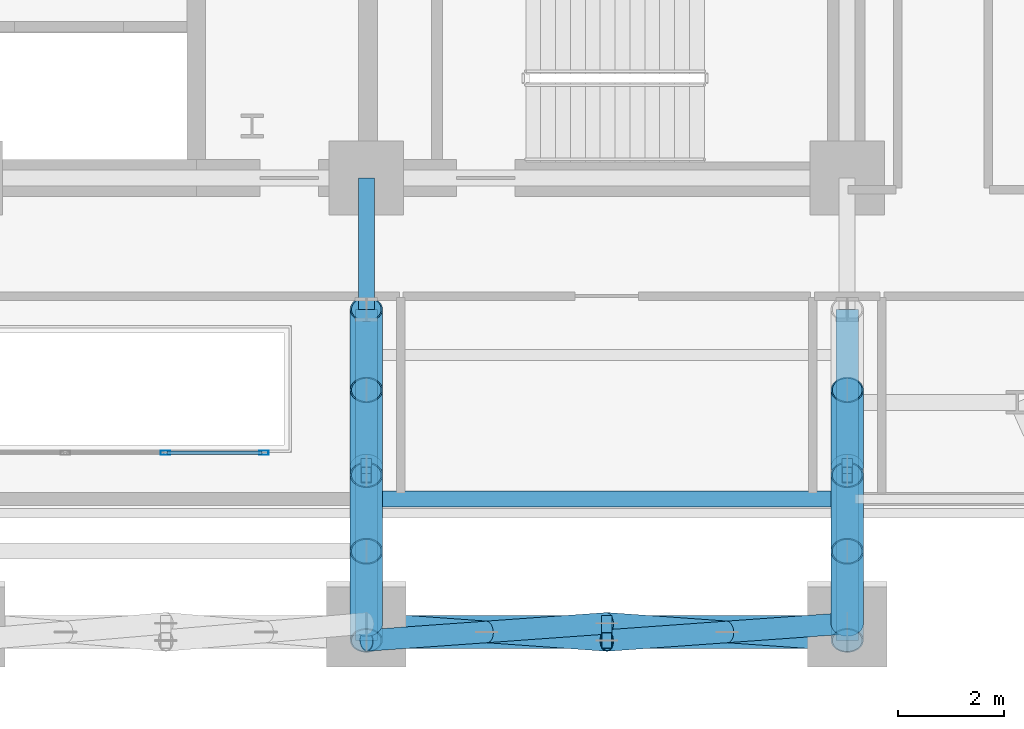
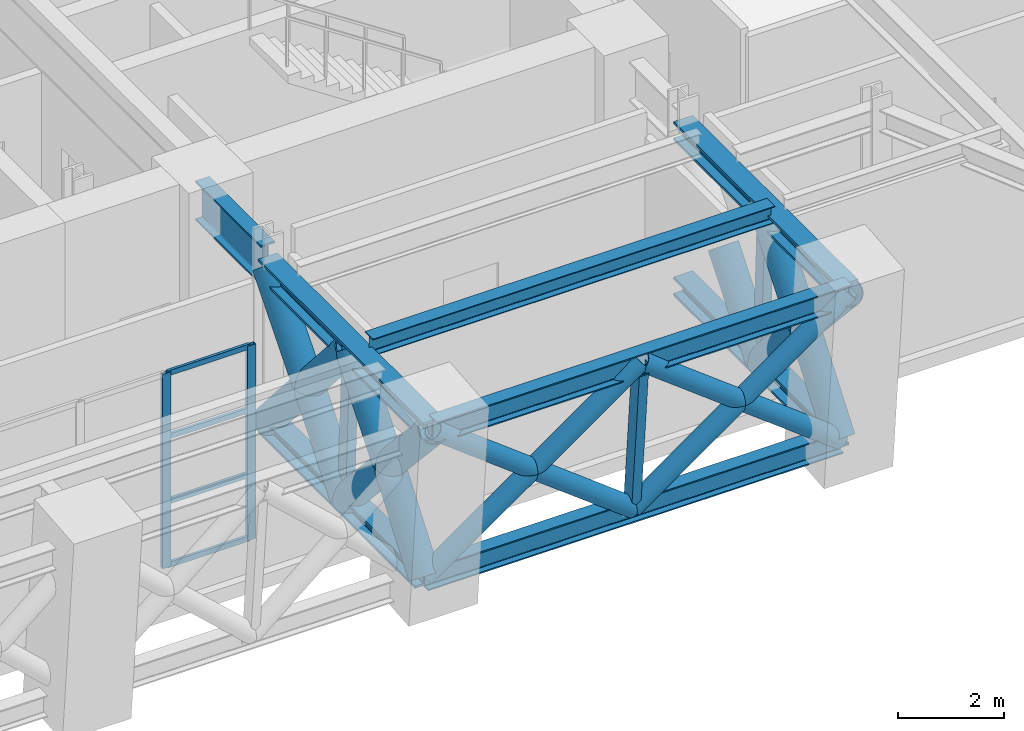
# One storey, part 5 of 12: 31 members, 2 beams, 1 element without a shape of its own.
"""IFC4 building model written with IfcOpenShell, lengths in metres."""

from ifc_helpers import new_model, si_unit, direction, frame, origin, origin_2d, place, context, subcontext, project, spatial, hollow_rectangle, hollow_circle, i_section, extrude, material, layer, layer_set, material_profile, profile_set, type_object, element, aggregate, save


model = new_model("IFC4")

# Units and contexts
model_context = context("Model", 3, precision=1e-05, world=origin(), true_north=direction((0.0, 1.0)))
body_context = subcontext(model_context, "Body", "Model", "MODEL_VIEW")
ifc_project = project(units=[si_unit("LENGTHUNIT", "METRE"), si_unit("AREAUNIT", "SQUARE_METRE"), si_unit("VOLUMEUNIT", "CUBIC_METRE"), si_unit("PLANEANGLEUNIT", "RADIAN"), si_unit("MASSUNIT", "GRAM", prefix="KILO")], contexts=[model_context])

# Site, building, storey
site_placement = place(None, origin())
site = spatial("IfcSite", under=ifc_project, at=site_placement, CompositionType="ELEMENT")
building_placement = place(site_placement, origin())
building = spatial("IfcBuilding", under=site, at=building_placement, Name="Zarnavel Station Tower", CompositionType="ELEMENT")
storey_placement = place(building_placement, frame((0.0, 0.0, 74.5)))
storey = spatial("IfcBuildingStorey", under=building, at=storey_placement, Name="L20", CompositionType="ELEMENT", Elevation=74.5)

# Members
ifc_material_1 = material(Name="Steel S460M", Category="steel")
ifc_material_profile_1 = material_profile(ifc_material_1, i_section(OverallWidth=0.300048828125, OverallDepth=0.5, WebThickness=0.014404296875, FlangeThickness=0.028076171875, FilletRadius=0.027099609375, at=origin_2d()), Name="HEB500")
ifc_profile_set_1 = profile_set([ifc_material_profile_1], Name="Steel S460M")
member_type_1 = type_object("IfcMemberType", Name="BT_CHORD_HEB500", PredefinedType="CHORD", material=ifc_profile_set_1)
for number, where, z_axis, x_axis, name in (
    (1, (36.35009765625, 19.4404296875, 0.39990234375), (1.0, 0.0, 0.0), (0.0, 1.0, 0.0), "L20 Perimeter Belt Truss Bottom Chord 4"),
    (2, (36.35009765625, 19.1162109375, 3.97998046875), (1.0, 0.0, 0.0), (0.0, 1.0, 0.0), "L20 Perimeter Belt Truss Top Chord 4"),
):
    element("IfcMember", number, at=place(storey_placement, frame(where, z_axis=z_axis, x_axis=x_axis)), inside=storey, type_object=member_type_1, Name=name, PredefinedType="CHORD", context=body_context, shape_type="SweptSolid", body=[
        extrude(i_section(OverallWidth=0.300048828125, OverallDepth=0.5, WebThickness=0.014404296875, FlangeThickness=0.028076171875, FilletRadius=0.027099609375, at=origin_2d()), origin(), (0.0, 0.0, 1.0), 9.0498046875),
    ])
ifc_material_2 = material(Name="Steel S460M", Category="steel")
ifc_material_profile_2 = material_profile(ifc_material_2, hollow_circle(Radius=0.203125, WallThickness=0.01611328125, at=origin_2d()), Name="CHS406.4x16")
ifc_profile_set_2 = profile_set([ifc_material_profile_2], Name="Steel S460M")
member_type_2 = type_object("IfcMemberType", Name="BT_DIAG_CHS406", PredefinedType="BRACE", material=ifc_profile_set_2)
member_1_placement = place(storey_placement, frame((36.35009765625, 19.4404296875, 0.39990234375), z_axis=(0.782990807201, -0.056102934713, 0.619498068242), x_axis=(0.07146887229, 0.997442830589, 0.0)))
element("IfcMember", 3, at=member_1_placement, inside=storey, type_object=member_type_2, Name="L20 Belt Truss Continuous Diagonal A1 4", PredefinedType="BRACE", context=body_context, shape_type="SweptSolid", body=[
    extrude(hollow_circle(Radius=0.203125, WallThickness=0.01611328125, at=origin_2d()), origin(), (0.0, 0.0, 1.0), 5.779052734375),
])
for number, where, z_axis, x_axis, name in (
    (4, (40.875, 19.4404296875, 0.39990234375), (-0.782990807201, -0.056102934713, 0.619498068242), (0.07146887229, -0.997442830589, 0.0), "L20 Belt Truss Split Diagonal B1 Lower 4"),
    (5, (38.612548828125, 19.2783203125, 2.18994140625), (-0.782990807201, -0.056102934713, 0.619498068242), (0.07146887229, -0.997442830589, 0.0), "L20 Belt Truss Split Diagonal B1 Upper 4"),
):
    element("IfcMember", number, at=place(storey_placement, frame(where, z_axis=z_axis, x_axis=x_axis)), inside=storey, type_object=member_type_2, Name=name, PredefinedType="BRACE", context=body_context, shape_type="SweptSolid", body=[
        extrude(hollow_circle(Radius=0.203125, WallThickness=0.01611328125, at=origin_2d()), origin(), (0.0, 0.0, 1.0), 2.889404296875),
    ])
member_2_placement = place(storey_placement, frame((40.875, 19.4404296875, 0.39990234375), z_axis=(0.782990807201, -0.056102934713, 0.619498068242), x_axis=(0.07146887229, 0.997442830589, 0.0)))
element("IfcMember", 6, at=member_2_placement, inside=storey, type_object=member_type_2, Name="L20 Belt Truss Continuous Diagonal A2 4", PredefinedType="BRACE", context=body_context, shape_type="SweptSolid", body=[
    extrude(hollow_circle(Radius=0.203125, WallThickness=0.01611328125, at=origin_2d()), origin(), (0.0, 0.0, 1.0), 5.779052734375),
])
for number, where, z_axis, x_axis, name in (
    (7, (45.39990234375, 19.4404296875, 0.39990234375), (-0.782990807201, -0.056102934713, 0.619498068242), (0.07146887229, -0.997442830589, 0.0), "L20 Belt Truss Split Diagonal B2 Lower 4"),
    (8, (43.137451171875, 19.2783203125, 2.18994140625), (-0.782990807201, -0.056102934713, 0.619498068242), (0.07146887229, -0.997442830589, 0.0), "L20 Belt Truss Split Diagonal B2 Upper 4"),
):
    element("IfcMember", number, at=place(storey_placement, frame(where, z_axis=z_axis, x_axis=x_axis)), inside=storey, type_object=member_type_2, Name=name, PredefinedType="BRACE", context=body_context, shape_type="SweptSolid", body=[
        extrude(hollow_circle(Radius=0.203125, WallThickness=0.01611328125, at=origin_2d()), origin(), (0.0, 0.0, 1.0), 2.889404296875),
    ])
ifc_material_3 = material(Name="Steel S460M", Category="steel")
ifc_material_profile_3 = material_profile(ifc_material_3, hollow_rectangle(XDim=0.199951171875, YDim=0.300048828125, WallThickness=0.012451171875, at=origin_2d()), Name="RHS300x200x12.5")
ifc_profile_set_3 = profile_set([ifc_material_profile_3], Name="Steel S460M")
member_type_3 = type_object("IfcMemberType", Name="BT_POST_RHS300", PredefinedType="POST", material=ifc_profile_set_3)
for number, where, z_axis, x_axis, name in (
    (9, (36.35009765625, 22.395263671875, 0.39990234375), (0.0, -0.045302594887, 0.998973310403), (1.0, 0.0, 0.0), "L20 Outrigger Mid-Span Post 3"),
    (10, (45.39990234375, 22.395263671875, 0.39990234375), (0.0, -0.045302594887, 0.998973310403), (1.0, 0.0, 0.0), "L20 Outrigger Mid-Span Post 4"),
):
    element("IfcMember", number, at=place(storey_placement, frame(where, z_axis=z_axis, x_axis=x_axis)), inside=storey, type_object=member_type_3, Name=name, PredefinedType="POST", context=body_context, shape_type="SweptSolid", body=[
        extrude(hollow_rectangle(XDim=0.199951171875, YDim=0.300048828125, WallThickness=0.012451171875, at=origin_2d()), origin(), (0.0, 0.0, 1.0), 3.583740234375),
    ])
member_3_placement = place(storey_placement, frame((40.875, 19.4404296875, 0.39990234375), z_axis=(0.0, -0.090192819133, 0.995924322113), x_axis=(1.0, 0.0, 0.0)))
element("IfcMember", 11, at=member_3_placement, inside=storey, type_object=member_type_3, Name="L20 Belt Truss Mid-Bay Post 4", PredefinedType="POST", context=body_context, shape_type="SweptSolid", body=[
    extrude(hollow_rectangle(XDim=0.199951171875, YDim=0.300048828125, WallThickness=0.012451171875, at=origin_2d()), origin(), (0.0, 0.0, 1.0), 3.5947265625),
])

# Curtain wall, members
ifc_material_4 = material(Name="Aluminium Dark Anodised and Solar-Control Glass", Category="aluminium")
ifc_layer = layer(ifc_material_4, 0.179931640625)
ifc_layer_set = layer_set([ifc_layer], Name="CWS3")
curtain_wall_type = type_object("IfcCurtainWallType", Name="CWS3", PredefinedType="NOTDEFINED", material=ifc_layer_set)
curtain_wall_placement = place(storey_placement, origin())
curtain_wall = element("IfcCurtainWall", 12, at=curtain_wall_placement, inside=storey, type_object=curtain_wall_type, Name="L20 Curtain Wall CWS3-L20-AS", PredefinedType="NOTDEFINED")
ifc_material_5 = material(Name="Steel S355J2 (Black Fluoropolymer Coated)", Category="steel")
ifc_material_profile_4 = material_profile(ifc_material_5, hollow_rectangle(XDim=0.080078125, YDim=0.179931640625, WallThickness=0.00634765625, at=origin_2d()), Name="RHS180x80x6.3")
ifc_profile_set_4 = profile_set([ifc_material_profile_4], Name="Steel S355J2 (Black Fluoropolymer Coated)")
member_type_4 = type_object("IfcMemberType", Name="CWS3_MUL", PredefinedType="MULLION", material=ifc_profile_set_4)
member_4_placement = place(storey_placement, frame((32.566650390625, 22.64990234375, 0.0), z_axis=(0.0, 0.0, 1.0), x_axis=(0.0, 1.0, 0.0)))
member_4 = element("IfcMember", 13, at=member_4_placement, type_object=member_type_4, Name="CW3 mullion 6", PredefinedType="MULLION", context=body_context, shape_type="SweptSolid", body=[
    extrude(hollow_rectangle(XDim=0.080078125, YDim=0.179931640625, WallThickness=0.00634765625, at=origin_2d()), origin(), (0.0, 0.0, 1.0), 4.47998046875),
])
member_5_placement = place(storey_placement, frame((34.419921875, 22.64990234375, 0.0), z_axis=(0.0, 0.0, 1.0), x_axis=(0.0, 1.0, 0.0)))
member_5 = element("IfcMember", 14, at=member_5_placement, type_object=member_type_4, Name="CW3 mullion 7", PredefinedType="MULLION", context=body_context, shape_type="SweptSolid", body=[
    extrude(hollow_rectangle(XDim=0.080078125, YDim=0.179931640625, WallThickness=0.00634765625, at=origin_2d()), origin(), (0.0, 0.0, 1.0), 4.47998046875),
])
ifc_material_6 = material(Name="Steel S355J2 (Black Fluoropolymer Coated)", Category="steel")
ifc_material_profile_5 = material_profile(ifc_material_6, hollow_rectangle(XDim=0.06005859375, YDim=0.1201171875, WallThickness=0.0048828125, at=origin_2d()), Name="RHS120x60x5")
ifc_profile_set_5 = profile_set([ifc_material_profile_5], Name="Steel S355J2 (Black Fluoropolymer Coated)")
member_type_5 = type_object("IfcMemberType", Name="CWS3_TRN", PredefinedType="USERDEFINED", material=ifc_profile_set_5)
member_6_placement = place(storey_placement, frame((32.5966796875, 22.64990234375, 0.030029296875), z_axis=(1.0, 0.0, 0.0), x_axis=(0.0, 1.0, 0.0)))
member_6 = element("IfcMember", 15, at=member_6_placement, type_object=member_type_5, Name="CW3 transom 6.1", ObjectType="TRANSOM", PredefinedType="USERDEFINED", context=body_context, shape_type="SweptSolid", body=[
    extrude(hollow_rectangle(XDim=0.06005859375, YDim=0.1201171875, WallThickness=0.0048828125, at=origin_2d()), origin(), (0.0, 0.0, 1.0), 1.793212890625),
])
member_7_placement = place(storey_placement, frame((32.5966796875, 22.64990234375, 1.493408203125), z_axis=(1.0, 0.0, 0.0), x_axis=(0.0, 1.0, 0.0)))
member_7 = element("IfcMember", 16, at=member_7_placement, type_object=member_type_5, Name="CW3 transom 6.2", ObjectType="TRANSOM", PredefinedType="USERDEFINED", context=body_context, shape_type="SweptSolid", body=[
    extrude(hollow_rectangle(XDim=0.06005859375, YDim=0.1201171875, WallThickness=0.0048828125, at=origin_2d()), origin(), (0.0, 0.0, 1.0), 1.793212890625),
])
member_8_placement = place(storey_placement, frame((32.5966796875, 22.64990234375, 2.98681640625), z_axis=(1.0, 0.0, 0.0), x_axis=(0.0, 1.0, 0.0)))
member_8 = element("IfcMember", 17, at=member_8_placement, type_object=member_type_5, Name="CW3 transom 6.3", ObjectType="TRANSOM", PredefinedType="USERDEFINED", context=body_context, shape_type="SweptSolid", body=[
    extrude(hollow_rectangle(XDim=0.06005859375, YDim=0.1201171875, WallThickness=0.0048828125, at=origin_2d()), origin(), (0.0, 0.0, 1.0), 1.793212890625),
])
member_9_placement = place(storey_placement, frame((32.5966796875, 22.64990234375, 4.449951171875), z_axis=(1.0, 0.0, 0.0), x_axis=(0.0, 1.0, 0.0)))
member_9 = element("IfcMember", 18, at=member_9_placement, type_object=member_type_5, Name="CW3 transom 6.4", ObjectType="TRANSOM", PredefinedType="USERDEFINED", context=body_context, shape_type="SweptSolid", body=[
    extrude(hollow_rectangle(XDim=0.06005859375, YDim=0.1201171875, WallThickness=0.0048828125, at=origin_2d()), origin(), (0.0, 0.0, 1.0), 1.793212890625),
])
aggregate(curtain_wall, [member_4, member_5, member_6, member_7, member_8, member_9])

# Beam
ifc_material_7 = material(Name="Steel S355J2", Category="steel")
ifc_material_profile_6 = material_profile(ifc_material_7, i_section(OverallWidth=0.300048828125, OverallDepth=0.389892578125, WebThickness=0.010986328125, FlangeThickness=0.01904296875, FilletRadius=0.027099609375, at=origin_2d()), Name="HEA400")
ifc_profile_set_6 = profile_set([ifc_material_profile_6], Name="Steel S355J2")
beam_type_1 = type_object("IfcBeamType", Name="FB_HEA400", PredefinedType="BEAM", material=ifc_profile_set_6)
beam_1_placement = place(storey_placement, frame((36.4951171875, 21.780517578125, 4.284912109375), z_axis=(1.0, 0.0, 0.0), x_axis=(0.0, 1.0, 0.0)))
element("IfcBeam", 19, at=beam_1_placement, inside=storey, type_object=beam_type_1, Name="L20 East Bay Beam 1", PredefinedType="BEAM", context=body_context, shape_type="SweptSolid", body=[
    extrude(i_section(OverallWidth=0.300048828125, OverallDepth=0.389892578125, WebThickness=0.010986328125, FlangeThickness=0.01904296875, FilletRadius=0.027099609375, at=origin_2d()), origin(), (0.0, 0.0, 1.0), 8.759765625),
])

# Members
ifc_material_8 = material(Name="Steel S460M", Category="steel")
ifc_material_profile_7 = material_profile(ifc_material_8, i_section(OverallWidth=0.41796875, OverallDepth=0.431884765625, WebThickness=0.034912109375, FlangeThickness=0.055908203125, FilletRadius=0.014892578125, at=origin_2d()), Name="HD400x421")
ifc_profile_set_7 = profile_set([ifc_material_profile_7], Name="Steel S460M")
member_type_6 = type_object("IfcMemberType", Name="OT_CHORD_HD421", PredefinedType="CHORD", material=ifc_profile_set_7)
member_10_placement = place(storey_placement, frame((36.35009765625, 19.4404296875, 0.39990234375), z_axis=(0.0, 1.0, 0.0), x_axis=(-1.0, 0.0, 0.0)))
element("IfcMember", 20, at=member_10_placement, inside=storey, type_object=member_type_6, Name="L20 Outrigger Bottom Chord 3", PredefinedType="CHORD", context=body_context, shape_type="SweptSolid", body=[
    extrude(i_section(OverallWidth=0.41796875, OverallDepth=0.431884765625, WebThickness=0.034912109375, FlangeThickness=0.055908203125, FilletRadius=0.014892578125, at=origin_2d()), origin(), (0.0, 0.0, 1.0), 5.90966796875),
])
member_11_placement = place(storey_placement, frame((36.35009765625, 19.1162109375, 3.97998046875), z_axis=(0.0, 1.0, 0.0), x_axis=(-1.0, 0.0, 0.0)))
element("IfcMember", 21, at=member_11_placement, inside=storey, type_object=member_type_6, Name="L20 Outrigger Top Chord 3", PredefinedType="CHORD", context=body_context, shape_type="SweptSolid", body=[
    extrude(i_section(OverallWidth=0.41796875, OverallDepth=0.431884765625, WebThickness=0.034912109375, FlangeThickness=0.055908203125, FilletRadius=0.014892578125, at=origin_2d()), origin(), (0.0, 0.0, 1.0), 6.23388671875),
])
member_12_placement = place(storey_placement, frame((45.39990234375, 19.4404296875, 0.39990234375), z_axis=(0.0, 1.0, 0.0), x_axis=(-1.0, 0.0, 0.0)))
element("IfcMember", 22, at=member_12_placement, inside=storey, type_object=member_type_6, Name="L20 Outrigger Bottom Chord 4", PredefinedType="CHORD", context=body_context, shape_type="SweptSolid", body=[
    extrude(i_section(OverallWidth=0.41796875, OverallDepth=0.431884765625, WebThickness=0.034912109375, FlangeThickness=0.055908203125, FilletRadius=0.014892578125, at=origin_2d()), origin(), (0.0, 0.0, 1.0), 5.90966796875),
])
member_13_placement = place(storey_placement, frame((45.39990234375, 19.1162109375, 3.97998046875), z_axis=(0.0, 1.0, 0.0), x_axis=(-1.0, 0.0, 0.0)))
element("IfcMember", 23, at=member_13_placement, inside=storey, type_object=member_type_6, Name="L20 Outrigger Top Chord 4", PredefinedType="CHORD", context=body_context, shape_type="SweptSolid", body=[
    extrude(i_section(OverallWidth=0.41796875, OverallDepth=0.431884765625, WebThickness=0.034912109375, FlangeThickness=0.055908203125, FilletRadius=0.014892578125, at=origin_2d()), origin(), (0.0, 0.0, 1.0), 6.23388671875),
])
ifc_material_9 = material(Name="Steel S460M", Category="steel")
ifc_material_profile_8 = material_profile(ifc_material_9, hollow_circle(Radius=0.304931640625, WallThickness=0.02490234375, at=origin_2d()), Name="CHS610x25")
ifc_profile_set_8 = profile_set([ifc_material_profile_8], Name="Steel S460M")
member_type_7 = type_object("IfcMemberType", Name="OT_DIAG_CHS610", PredefinedType="STRUT", material=ifc_profile_set_8)
member_14_placement = place(storey_placement, frame((36.35009765625, 25.35009765625, 0.39990234375), z_axis=(0.0, -0.656667528938, 0.75418018831), x_axis=(1.0, 0.0, 0.0)))
element("IfcMember", 24, at=member_14_placement, inside=storey, type_object=member_type_7, Name="L20 Outrigger Continuous Inner Diagonal 3", PredefinedType="STRUT", context=body_context, shape_type="SweptSolid", body=[
    extrude(hollow_circle(Radius=0.304931640625, WallThickness=0.02490234375, at=origin_2d()), origin(), (0.0, 0.0, 1.0), 4.7470703125),
])
member_15_placement = place(storey_placement, frame((36.35009765625, 22.395263671875, 0.39990234375), z_axis=(0.0, 0.625952445523, 0.779861228645), x_axis=(-1.0, 0.0, 0.0)))
element("IfcMember", 25, at=member_15_placement, inside=storey, type_object=member_type_7, Name="L20 Outrigger Split Inner Strut Lower 3", PredefinedType="STRUT", context=body_context, shape_type="SweptSolid", body=[
    extrude(hollow_circle(Radius=0.304931640625, WallThickness=0.02490234375, at=origin_2d()), origin(), (0.0, 0.0, 1.0), 2.29541015625),
])
member_16_placement = place(storey_placement, frame((36.35009765625, 23.83203125, 2.18994140625), z_axis=(0.0, 0.646790494346, 0.762667723471), x_axis=(-1.0, 0.0, 0.0)))
element("IfcMember", 26, at=member_16_placement, inside=storey, type_object=member_type_7, Name="L20 Outrigger Split Inner Strut Upper 3", PredefinedType="STRUT", context=body_context, shape_type="SweptSolid", body=[
    extrude(hollow_circle(Radius=0.304931640625, WallThickness=0.02490234375, at=origin_2d()), origin(), (0.0, 0.0, 1.0), 2.34716796875),
])
member_17_placement = place(storey_placement, frame((36.35009765625, 22.395263671875, 0.39990234375), z_axis=(0.0, -0.67542398033, 0.737429621588), x_axis=(1.0, 0.0, 0.0)))
element("IfcMember", 27, at=member_17_placement, inside=storey, type_object=member_type_7, Name="L20 Outrigger Continuous Outer Diagonal 3", PredefinedType="STRUT", context=body_context, shape_type="SweptSolid", body=[
    extrude(hollow_circle(Radius=0.304931640625, WallThickness=0.02490234375, at=origin_2d()), origin(), (0.0, 0.0, 1.0), 4.854736328125),
])
member_18_placement = place(storey_placement, frame((36.35009765625, 19.4404296875, 0.39990234375), z_axis=(0.0, 0.603750923841, 0.797173018837), x_axis=(-1.0, 0.0, 0.0)))
element("IfcMember", 28, at=member_18_placement, inside=storey, type_object=member_type_7, Name="L20 Outrigger Split Outer Strut Lower 3", PredefinedType="STRUT", context=body_context, shape_type="SweptSolid", body=[
    extrude(hollow_circle(Radius=0.304931640625, WallThickness=0.02490234375, at=origin_2d()), origin(), (0.0, 0.0, 1.0), 2.24560546875),
])
for number, where, z_axis, x_axis, name in (
    (29, (36.35009765625, 20.796142578125, 2.18994140625), (0.0, 0.625952445523, 0.779861228645), (-1.0, 0.0, 0.0), "L20 Outrigger Split Outer Strut Upper 3"),
    (30, (45.39990234375, 22.395263671875, 0.39990234375), (0.0, 0.625952445523, 0.779861228645), (-1.0, 0.0, 0.0), "L20 Outrigger Split Inner Strut Lower 4"),
):
    element("IfcMember", number, at=place(storey_placement, frame(where, z_axis=z_axis, x_axis=x_axis)), inside=storey, type_object=member_type_7, Name=name, PredefinedType="STRUT", context=body_context, shape_type="SweptSolid", body=[
        extrude(hollow_circle(Radius=0.304931640625, WallThickness=0.02490234375, at=origin_2d()), origin(), (0.0, 0.0, 1.0), 2.29541015625),
    ])
member_19_placement = place(storey_placement, frame((45.39990234375, 22.395263671875, 0.39990234375), z_axis=(0.0, -0.67542398033, 0.737429621588), x_axis=(1.0, 0.0, 0.0)))
element("IfcMember", 31, at=member_19_placement, inside=storey, type_object=member_type_7, Name="L20 Outrigger Continuous Outer Diagonal 4", PredefinedType="STRUT", context=body_context, shape_type="SweptSolid", body=[
    extrude(hollow_circle(Radius=0.304931640625, WallThickness=0.02490234375, at=origin_2d()), origin(), (0.0, 0.0, 1.0), 4.854736328125),
])
member_20_placement = place(storey_placement, frame((45.39990234375, 19.4404296875, 0.39990234375), z_axis=(0.0, 0.603750923841, 0.797173018837), x_axis=(-1.0, 0.0, 0.0)))
element("IfcMember", 32, at=member_20_placement, inside=storey, type_object=member_type_7, Name="L20 Outrigger Split Outer Strut Lower 4", PredefinedType="STRUT", context=body_context, shape_type="SweptSolid", body=[
    extrude(hollow_circle(Radius=0.304931640625, WallThickness=0.02490234375, at=origin_2d()), origin(), (0.0, 0.0, 1.0), 2.24560546875),
])
member_21_placement = place(storey_placement, frame((45.39990234375, 20.796142578125, 2.18994140625), z_axis=(0.0, 0.625952445523, 0.779861228645), x_axis=(-1.0, 0.0, 0.0)))
element("IfcMember", 33, at=member_21_placement, inside=storey, type_object=member_type_7, Name="L20 Outrigger Split Outer Strut Upper 4", PredefinedType="STRUT", context=body_context, shape_type="SweptSolid", body=[
    extrude(hollow_circle(Radius=0.304931640625, WallThickness=0.02490234375, at=origin_2d()), origin(), (0.0, 0.0, 1.0), 2.29541015625),
])

# Beam
ifc_material_10 = material(Name="Steel S460M", Category="steel")
ifc_material_profile_9 = material_profile(ifc_material_10, i_section(OverallWidth=0.302001953125, OverallDepth=0.909912109375, WebThickness=0.02099609375, FlangeThickness=0.0400390625, FilletRadius=0.030029296875, at=origin_2d()), Name="HEM900")
ifc_profile_set_9 = profile_set([ifc_material_profile_9], Name="Steel S460M")
beam_type_2 = type_object("IfcBeamType", Name="TG_HEM900", PredefinedType="USERDEFINED", material=ifc_profile_set_9)
beam_2_placement = place(storey_placement, frame((36.35009765625, 25.35009765625, 4.02490234375), z_axis=(0.0, 1.0, 0.0), x_axis=(-1.0, 0.0, 0.0)))
element("IfcBeam", 34, at=beam_2_placement, inside=storey, type_object=beam_type_2, Name="L20 Inner-Zone NS Girder 4", ObjectType="GIRDER", PredefinedType="USERDEFINED", context=body_context, shape_type="SweptSolid", body=[
    extrude(i_section(OverallWidth=0.302001953125, OverallDepth=0.909912109375, WebThickness=0.02099609375, FlangeThickness=0.0400390625, FilletRadius=0.030029296875, at=origin_2d()), origin(), (0.0, 0.0, 1.0), 2.469970703125),
])

save(model, "model.ifc")
